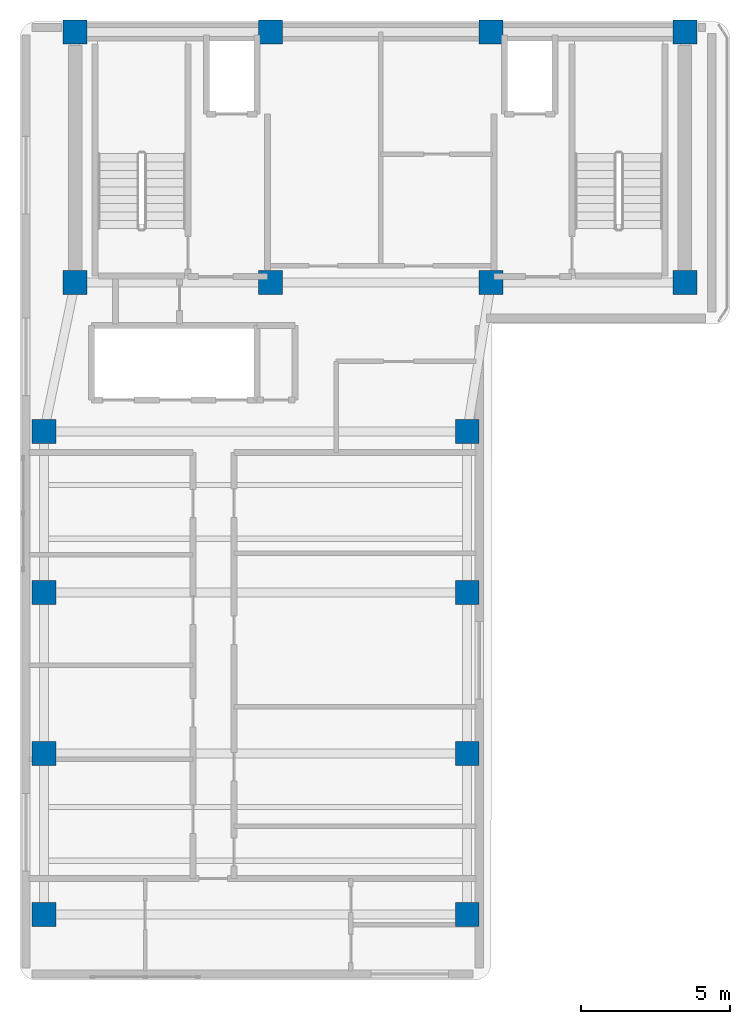
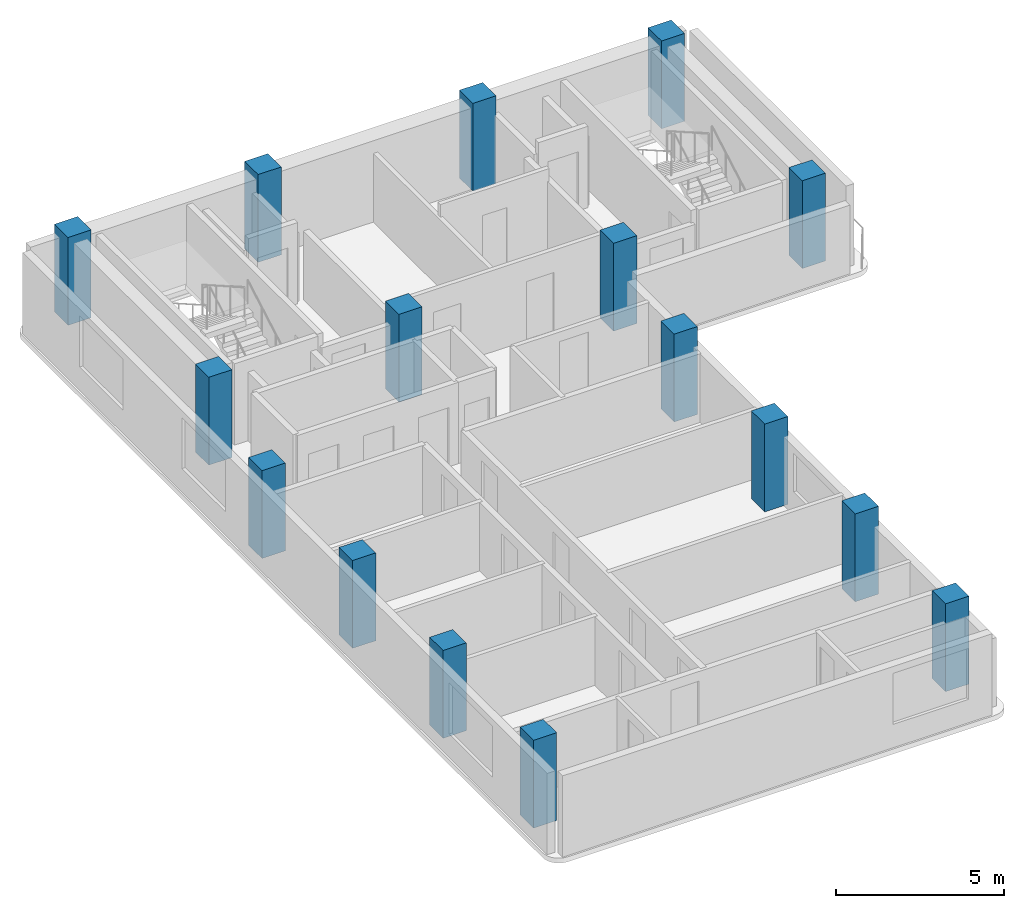
# One storey, part 1 of 9: 16 columns.
"""IFC4 building model written with IfcOpenShell, lengths in metres."""

from ifc_helpers import new_model, si_unit, direction, frame, origin, origin_2d, place, context, subcontext, project, spatial, rectangle, extrude, material, material_profile, profile_set, type_object, element, save


model = new_model("IFC4")

# Units and contexts
model_context = context("Model", 3, precision=1e-05, world=origin(), true_north=direction((0.0, 1.0)))
body_context = subcontext(model_context, "Body", "Model", "MODEL_VIEW")
ifc_project = project(units=[si_unit("LENGTHUNIT", "METRE"), si_unit("AREAUNIT", "SQUARE_METRE"), si_unit("VOLUMEUNIT", "CUBIC_METRE"), si_unit("PLANEANGLEUNIT", "RADIAN"), si_unit("MASSUNIT", "GRAM", prefix="KILO")], contexts=[model_context])

# Site, building, storey
site_placement = place(None, origin())
site = spatial("IfcSite", under=ifc_project, at=site_placement, CompositionType="ELEMENT")
building_placement = place(site_placement, origin())
building = spatial("IfcBuilding", under=site, at=building_placement, Name="Kuzgunbayir Cultural Tower", CompositionType="ELEMENT")
storey_placement = place(building_placement, frame((0.0, 0.0, 247.199951171875)))
storey = spatial("IfcBuildingStorey", under=building, at=storey_placement, Name="L73", CompositionType="ELEMENT", Elevation=247.199951171875)

# Columns
ifc_material = material(Name="Concrete C50/60", Category="concrete")
ifc_material_profile_1 = material_profile(ifc_material, rectangle(XDim=0.800048828125, YDim=0.800048828125, at=origin_2d()), Name="RC 800x800")
ifc_profile_set_1 = profile_set([ifc_material_profile_1], Name="Concrete C50/60")
column_type_1 = type_object("IfcColumnType", Name="COL-CORE-800", PredefinedType="COLUMN", material=ifc_profile_set_1)
for number, where, z_axis, x_axis, name in (
    (1, (6.449951171875, 33.800048828125, 0.0), (0.0, 0.0, 1.0), (1.0, 0.0, 0.0), "L73 T1 Core Boundary Column CC1-1"),
    (2, (13.0, 33.800048828125, 0.0), (0.0, 0.0, 1.0), (1.0, 0.0, 0.0), "L73 T1 Core Boundary Column CC1-2"),
    (3, (20.39990234375, 33.800048828125, 0.0), (0.0, 0.0, 1.0), (1.0, 0.0, 0.0), "L73 T1 Core Boundary Column CC1-3"),
    (4, (26.89990234375, 33.800048828125, 0.0), (0.0, 0.0, 1.0), (1.0, 0.0, 0.0), "L73 T1 Core Boundary Column CC1-4"),
    (5, (6.449951171875, 42.199951171875, 0.0), (0.0, 0.0, 1.0), (1.0, 0.0, 0.0), "L73 T1 Core Boundary Column CC1-5"),
    (6, (13.0, 42.199951171875, 0.0), (0.0, 0.0, 1.0), (1.0, 0.0, 0.0), "L73 T1 Core Boundary Column CC1-6"),
    (7, (20.39990234375, 42.199951171875, 0.0), (0.0, 0.0, 1.0), (1.0, 0.0, 0.0), "L73 T1 Core Boundary Column CC1-7"),
    (8, (26.89990234375, 42.199951171875, 0.0), (0.0, 0.0, 1.0), (1.0, 0.0, 0.0), "L73 T1 Core Boundary Column CC1-8"),
):
    element("IfcColumn", number, at=place(storey_placement, frame(where, z_axis=z_axis, x_axis=x_axis)), inside=storey, type_object=column_type_1, Name=name, PredefinedType="COLUMN", context=body_context, shape_type="SweptSolid", body=[
        extrude(rectangle(XDim=0.800048828125, YDim=0.800048828125, at=origin_2d()), origin(), (0.0, 0.0, 1.0), 3.199951171875),
    ])
ifc_material_profile_2 = material_profile(ifc_material, rectangle(XDim=0.800048828125, YDim=0.800048828125, at=origin_2d()), Name="RC 800x800")
ifc_profile_set_2 = profile_set([ifc_material_profile_2], Name="Concrete C50/60")
column_type_2 = type_object("IfcColumnType", Name="COL-T1-800", PredefinedType="COLUMN", material=ifc_profile_set_2)
for number, where, z_axis, x_axis, name in (
    (9, (5.39990234375, 12.60009765625, 0.0), (0.0, 0.0, 1.0), (1.0, 0.0, 0.0), "L73 Tower 1 Wing A Column T1A-W-1"),
    (10, (19.60009765625, 12.60009765625, 0.0), (0.0, 0.0, 1.0), (1.0, 0.0, 0.0), "L73 Tower 1 Wing A Column T1A-E-1"),
    (11, (5.39990234375, 18.0, 0.0), (0.0, 0.0, 1.0), (1.0, 0.0, 0.0), "L73 Tower 1 Wing A Column T1A-W-2"),
    (12, (19.60009765625, 18.0, 0.0), (0.0, 0.0, 1.0), (1.0, 0.0, 0.0), "L73 Tower 1 Wing A Column T1A-E-2"),
    (13, (5.39990234375, 23.39990234375, 0.0), (0.0, 0.0, 1.0), (1.0, 0.0, 0.0), "L73 Tower 1 Wing A Column T1A-W-3"),
    (14, (19.60009765625, 23.39990234375, 0.0), (0.0, 0.0, 1.0), (1.0, 0.0, 0.0), "L73 Tower 1 Wing A Column T1A-E-3"),
    (15, (5.39990234375, 28.800048828125, 0.0), (0.0, 0.0, 1.0), (1.0, 0.0, 0.0), "L73 Tower 1 Wing A Column T1A-W-4"),
    (16, (19.60009765625, 28.800048828125, 0.0), (0.0, 0.0, 1.0), (1.0, 0.0, 0.0), "L73 Tower 1 Wing A Column T1A-E-4"),
):
    element("IfcColumn", number, at=place(storey_placement, frame(where, z_axis=z_axis, x_axis=x_axis)), inside=storey, type_object=column_type_2, Name=name, PredefinedType="COLUMN", context=body_context, shape_type="SweptSolid", body=[
        extrude(rectangle(XDim=0.800048828125, YDim=0.800048828125, at=origin_2d()), origin(), (0.0, 0.0, 1.0), 3.199951171875),
    ])

save(model, "model.ifc")
